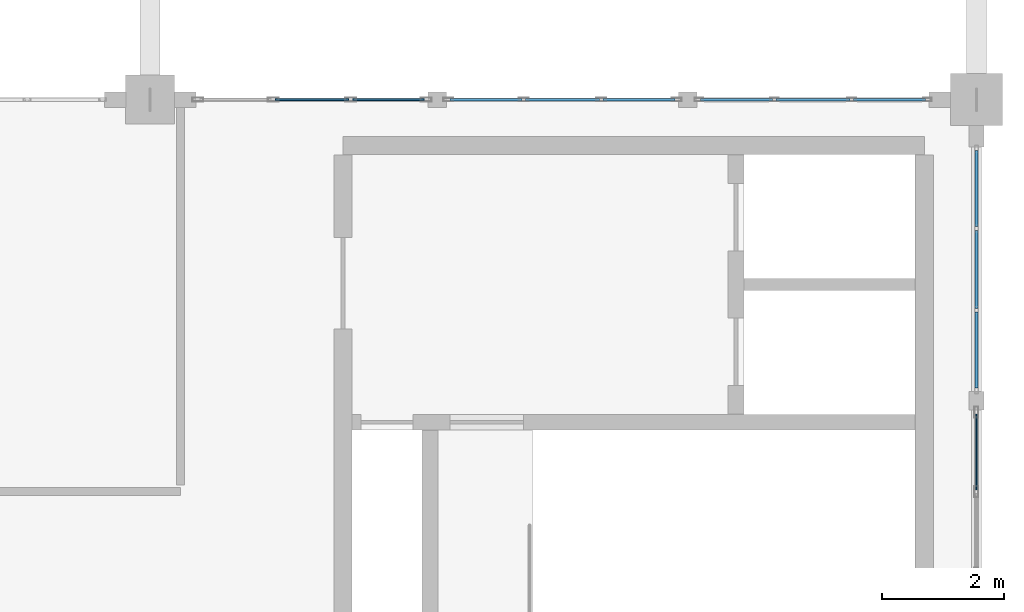
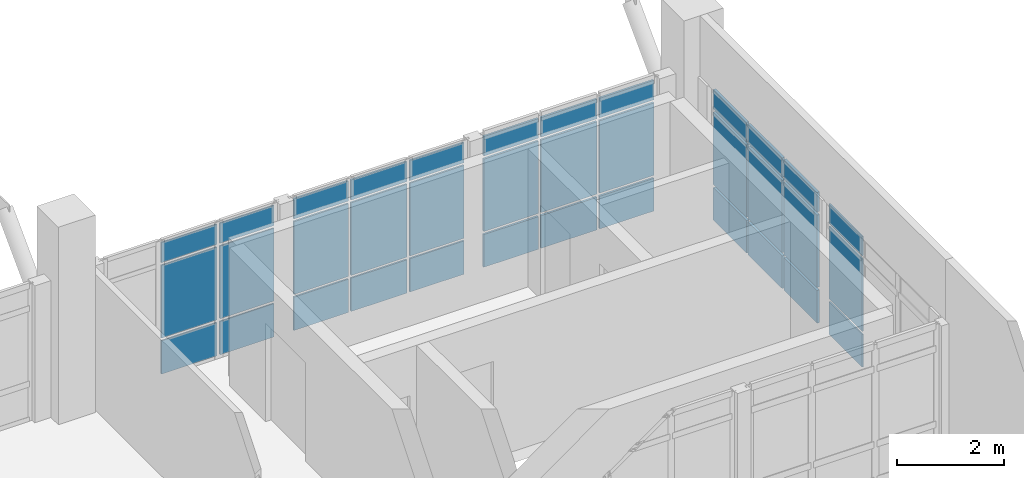
# One storey, part 30 of 37: 36 plates, 5 elements without a shape of their own.
"""IFC4 building model written with IfcOpenShell, lengths in metres."""

from ifc_helpers import new_model, si_unit, direction, frame, origin, origin_2d, place, context, subcontext, project, spatial, rectangle, extrude, material, layer, layer_set, type_object, element, aggregate, save


model = new_model("IFC4")

# Units and contexts
model_context = context("Model", 3, precision=1e-05, world=origin(), true_north=direction((0.0, 1.0)))
body_context = subcontext(model_context, "Body", "Model", "MODEL_VIEW")
ifc_project = project(units=[si_unit("LENGTHUNIT", "METRE"), si_unit("AREAUNIT", "SQUARE_METRE"), si_unit("VOLUMEUNIT", "CUBIC_METRE"), si_unit("PLANEANGLEUNIT", "RADIAN"), si_unit("MASSUNIT", "GRAM", prefix="KILO")], contexts=[model_context])

# Site, building, storey
site_placement = place(None, origin())
site = spatial("IfcSite", under=ifc_project, at=site_placement, CompositionType="ELEMENT")
building_placement = place(site_placement, origin())
building = spatial("IfcBuilding", under=site, at=building_placement, Name="Fikremerkos Civic Library", CompositionType="ELEMENT")
storey_placement = place(building_placement, frame((0.0, 0.0, 23.39990234375)))
storey = spatial("IfcBuildingStorey", under=building, at=storey_placement, Name="L05", CompositionType="ELEMENT", Elevation=23.39990234375)

# Curtain wall, plates
ifc_material_1 = material(Name="Anodized aluminium Frame", Category="aluminium")
ifc_layer_1 = layer(ifc_material_1, 0.159912109375, Name="Anodized aluminium Frame")
ifc_layer_set_1 = layer_set([ifc_layer_1], Name="Anodized aluminium Frame")
curtain_wall_type_1 = type_object("IfcCurtainWallType", Name="Unitised curtain wall CW-05 3800x4100", PredefinedType="USERDEFINED", material=ifc_layer_set_1)
curtain_wall_1_placement = place(storey_placement, origin())
curtain_wall_1 = element("IfcCurtainWall", 1, at=curtain_wall_1_placement, inside=storey, type_object=curtain_wall_type_1, Name="Unitised curtain wall CW-05 L05 #275", ObjectType="UNITISED CURTAIN WALL", PredefinedType="USERDEFINED")
ifc_material_2 = material(Name="Solar control double glazing", Category="glass")
ifc_layer_2 = layer(ifc_material_2, 0.028076171875, Name="Solar control double glazing")
ifc_layer_set_2 = layer_set([ifc_layer_2], Name="Solar control double glazing")
plate_type_1 = type_object("IfcPlateType", Name="Curtain glazing panel CWP-01 28", PredefinedType="CURTAIN_PANEL", material=ifc_layer_set_2)
plate_1_placement = place(storey_placement, frame((102.844482421875, 31.199951171875, 0.06005859375), z_axis=(0.0, 0.0, 1.0), x_axis=(1.0, 0.0, 0.0)))
plate_1 = element("IfcPlate", 2, at=plate_1_placement, type_object=plate_type_1, Name="CW-05 panel 2.1", PredefinedType="CURTAIN_PANEL", context=body_context, shape_type="SweptSolid", body=[
    extrude(rectangle(XDim=1.19921875, YDim=0.028076171875, at=origin_2d()), origin(), (0.0, 0.0, 1.0), 0.760009765625),
])
plate_2_placement = place(storey_placement, frame((102.844482421875, 31.199951171875, 0.88037109375), z_axis=(0.0, 0.0, 1.0), x_axis=(1.0, 0.0, 0.0)))
plate_2 = element("IfcPlate", 3, at=plate_2_placement, type_object=plate_type_1, Name="CW-05 panel 2.2", PredefinedType="CURTAIN_PANEL", context=body_context, shape_type="SweptSolid", body=[
    extrude(rectangle(XDim=1.19921875, YDim=0.028076171875, at=origin_2d()), origin(), (0.0, 0.0, 1.0), 1.659912109375),
])
plate_3_placement = place(storey_placement, frame((102.844482421875, 31.199951171875, 2.60009765625), z_axis=(0.0, 0.0, 1.0), x_axis=(1.0, 0.0, 0.0)))
plate_3 = element("IfcPlate", 4, at=plate_3_placement, type_object=plate_type_1, Name="CW-05 panel 2.3", PredefinedType="CURTAIN_PANEL", context=body_context, shape_type="SweptSolid", body=[
    extrude(rectangle(XDim=1.19921875, YDim=0.028076171875, at=origin_2d()), origin(), (0.0, 0.0, 1.0), 0.4599609375),
])
plate_4_placement = place(storey_placement, frame((104.092529296875, 31.199951171875, 0.06005859375), z_axis=(0.0, 0.0, 1.0), x_axis=(1.0, 0.0, 0.0)))
plate_4 = element("IfcPlate", 5, at=plate_4_placement, type_object=plate_type_1, Name="CW-05 panel 3.1", PredefinedType="CURTAIN_PANEL", context=body_context, shape_type="SweptSolid", body=[
    extrude(rectangle(XDim=1.166748046875, YDim=0.028076171875, at=origin_2d()), origin(), (0.0, 0.0, 1.0), 0.760009765625),
])
plate_5_placement = place(storey_placement, frame((104.092529296875, 31.199951171875, 0.88037109375), z_axis=(0.0, 0.0, 1.0), x_axis=(1.0, 0.0, 0.0)))
plate_5 = element("IfcPlate", 6, at=plate_5_placement, type_object=plate_type_1, Name="CW-05 panel 3.2", PredefinedType="CURTAIN_PANEL", context=body_context, shape_type="SweptSolid", body=[
    extrude(rectangle(XDim=1.166748046875, YDim=0.028076171875, at=origin_2d()), origin(), (0.0, 0.0, 1.0), 1.659912109375),
])
plate_6_placement = place(storey_placement, frame((104.092529296875, 31.199951171875, 2.60009765625), z_axis=(0.0, 0.0, 1.0), x_axis=(1.0, 0.0, 0.0)))
plate_6 = element("IfcPlate", 7, at=plate_6_placement, type_object=plate_type_1, Name="CW-05 panel 3.3", PredefinedType="CURTAIN_PANEL", context=body_context, shape_type="SweptSolid", body=[
    extrude(rectangle(XDim=1.166748046875, YDim=0.028076171875, at=origin_2d()), origin(), (0.0, 0.0, 1.0), 0.4599609375),
])
aggregate(curtain_wall_1, [plate_1, plate_2, plate_3, plate_4, plate_5, plate_6])

ifc_layer_3 = layer(ifc_material_1, 0.159912109375, Name="Anodized aluminium Frame")
ifc_layer_set_3 = layer_set([ifc_layer_3], Name="Anodized aluminium Frame")
curtain_wall_type_2 = type_object("IfcCurtainWallType", Name="Unitised curtain wall CW-09 3600x3400", PredefinedType="USERDEFINED", material=ifc_layer_set_3)
curtain_wall_2_placement = place(storey_placement, origin())
curtain_wall_2 = element("IfcCurtainWall", 8, at=curtain_wall_2_placement, inside=storey, type_object=curtain_wall_type_2, Name="Unitised curtain wall CW-09 L05 #279", ObjectType="UNITISED CURTAIN WALL", PredefinedType="USERDEFINED")
plate_7_placement = place(storey_placement, frame((113.699951171875, 25.44580078125, 0.070068359375), z_axis=(0.0, 0.0, 1.0), x_axis=(0.0, -1.0, 0.0)))
plate_7 = element("IfcPlate", 9, at=plate_7_placement, type_object=plate_type_1, Name="CW-09 panel 1.1", PredefinedType="CURTAIN_PANEL", context=body_context, shape_type="SweptSolid", body=[
    extrude(rectangle(XDim=1.2353515625, YDim=0.028076171875, at=origin_2d()), origin(), (0.0, 0.0, 1.0), 0.7451171875),
])
plate_8_placement = place(storey_placement, frame((113.699951171875, 25.44580078125, 0.88525390625), z_axis=(0.0, 0.0, 1.0), x_axis=(0.0, -1.0, 0.0)))
plate_8 = element("IfcPlate", 10, at=plate_8_placement, type_object=plate_type_1, Name="CW-09 panel 1.2", PredefinedType="CURTAIN_PANEL", context=body_context, shape_type="SweptSolid", body=[
    extrude(rectangle(XDim=1.2353515625, YDim=0.028076171875, at=origin_2d()), origin(), (0.0, 0.0, 1.0), 1.64990234375),
])
plate_9_placement = place(storey_placement, frame((113.699951171875, 25.44580078125, 2.60498046875), z_axis=(0.0, 0.0, 1.0), x_axis=(0.0, -1.0, 0.0)))
plate_9 = element("IfcPlate", 11, at=plate_9_placement, type_object=plate_type_1, Name="CW-09 panel 1.3", PredefinedType="CURTAIN_PANEL", context=body_context, shape_type="SweptSolid", body=[
    extrude(rectangle(XDim=1.2353515625, YDim=0.028076171875, at=origin_2d()), origin(), (0.0, 0.0, 1.0), 0.445068359375),
])
aggregate(curtain_wall_2, [plate_7, plate_8, plate_9])

ifc_layer_4 = layer(ifc_material_1, 0.159912109375, Name="Anodized aluminium Frame")
ifc_layer_set_4 = layer_set([ifc_layer_4], Name="Anodized aluminium Frame")
curtain_wall_type_3 = type_object("IfcCurtainWallType", Name="Unitised curtain wall CW-06 4200x4100", PredefinedType="USERDEFINED", material=ifc_layer_set_4)
curtain_wall_3_placement = place(storey_placement, origin())
curtain_wall_3 = element("IfcCurtainWall", 12, at=curtain_wall_3_placement, inside=storey, type_object=curtain_wall_type_3, Name="Unitised curtain wall CW-06 L05 #276", ObjectType="UNITISED CURTAIN WALL", PredefinedType="USERDEFINED")
ifc_layer_5 = layer(ifc_material_2, 0.035888671875, Name="Solar control double glazing")
ifc_layer_set_5 = layer_set([ifc_layer_5], Name="Solar control double glazing")
plate_type_2 = type_object("IfcPlateType", Name="Curtain glazing panel CWP-02 36", PredefinedType="CURTAIN_PANEL", material=ifc_layer_set_5)
plate_10_placement = place(storey_placement, frame((105.688232421875, 31.199951171875, 0.06005859375), z_axis=(0.0, 0.0, 1.0), x_axis=(1.0, 0.0, 0.0)))
plate_10 = element("IfcPlate", 13, at=plate_10_placement, type_object=plate_type_2, Name="CW-06 panel 1.1", PredefinedType="CURTAIN_PANEL", context=body_context, shape_type="SweptSolid", body=[
    extrude(rectangle(XDim=1.17431640625, YDim=0.035888671875, at=origin_2d()), origin(), (0.0, 0.0, 1.0), 0.760009765625),
])
plate_11_placement = place(storey_placement, frame((105.688232421875, 31.199951171875, 0.88037109375), z_axis=(0.0, 0.0, 1.0), x_axis=(1.0, 0.0, 0.0)))
plate_11 = element("IfcPlate", 14, at=plate_11_placement, type_object=plate_type_2, Name="CW-06 panel 1.2", PredefinedType="CURTAIN_PANEL", context=body_context, shape_type="SweptSolid", body=[
    extrude(rectangle(XDim=1.17431640625, YDim=0.035888671875, at=origin_2d()), origin(), (0.0, 0.0, 1.0), 1.659912109375),
])
plate_12_placement = place(storey_placement, frame((105.688232421875, 31.199951171875, 2.60009765625), z_axis=(0.0, 0.0, 1.0), x_axis=(1.0, 0.0, 0.0)))
plate_12 = element("IfcPlate", 15, at=plate_12_placement, type_object=plate_type_2, Name="CW-06 panel 1.3", PredefinedType="CURTAIN_PANEL", context=body_context, shape_type="SweptSolid", body=[
    extrude(rectangle(XDim=1.17431640625, YDim=0.035888671875, at=origin_2d()), origin(), (0.0, 0.0, 1.0), 0.4599609375),
])
plate_13_placement = place(storey_placement, frame((106.9375, 31.199951171875, 0.06005859375), z_axis=(0.0, 0.0, 1.0), x_axis=(1.0, 0.0, 0.0)))
plate_13 = element("IfcPlate", 16, at=plate_13_placement, type_object=plate_type_2, Name="CW-06 panel 2.1", PredefinedType="CURTAIN_PANEL", context=body_context, shape_type="SweptSolid", body=[
    extrude(rectangle(XDim=1.204345703125, YDim=0.035888671875, at=origin_2d()), origin(), (0.0, 0.0, 1.0), 0.760009765625),
])
plate_14_placement = place(storey_placement, frame((106.9375, 31.199951171875, 0.88037109375), z_axis=(0.0, 0.0, 1.0), x_axis=(1.0, 0.0, 0.0)))
plate_14 = element("IfcPlate", 17, at=plate_14_placement, type_object=plate_type_2, Name="CW-06 panel 2.2", PredefinedType="CURTAIN_PANEL", context=body_context, shape_type="SweptSolid", body=[
    extrude(rectangle(XDim=1.204345703125, YDim=0.035888671875, at=origin_2d()), origin(), (0.0, 0.0, 1.0), 1.659912109375),
])
plate_15_placement = place(storey_placement, frame((106.9375, 31.199951171875, 2.60009765625), z_axis=(0.0, 0.0, 1.0), x_axis=(1.0, 0.0, 0.0)))
plate_15 = element("IfcPlate", 18, at=plate_15_placement, type_object=plate_type_2, Name="CW-06 panel 2.3", PredefinedType="CURTAIN_PANEL", context=body_context, shape_type="SweptSolid", body=[
    extrude(rectangle(XDim=1.204345703125, YDim=0.035888671875, at=origin_2d()), origin(), (0.0, 0.0, 1.0), 0.4599609375),
])
plate_16_placement = place(storey_placement, frame((108.186767578125, 31.199951171875, 0.06005859375), z_axis=(0.0, 0.0, 1.0), x_axis=(1.0, 0.0, 0.0)))
plate_16 = element("IfcPlate", 19, at=plate_16_placement, type_object=plate_type_2, Name="CW-06 panel 3.1", PredefinedType="CURTAIN_PANEL", context=body_context, shape_type="SweptSolid", body=[
    extrude(rectangle(XDim=1.17431640625, YDim=0.035888671875, at=origin_2d()), origin(), (0.0, 0.0, 1.0), 0.760009765625),
])
plate_17_placement = place(storey_placement, frame((108.186767578125, 31.199951171875, 0.88037109375), z_axis=(0.0, 0.0, 1.0), x_axis=(1.0, 0.0, 0.0)))
plate_17 = element("IfcPlate", 20, at=plate_17_placement, type_object=plate_type_2, Name="CW-06 panel 3.2", PredefinedType="CURTAIN_PANEL", context=body_context, shape_type="SweptSolid", body=[
    extrude(rectangle(XDim=1.17431640625, YDim=0.035888671875, at=origin_2d()), origin(), (0.0, 0.0, 1.0), 1.659912109375),
])
plate_18_placement = place(storey_placement, frame((108.186767578125, 31.199951171875, 2.60009765625), z_axis=(0.0, 0.0, 1.0), x_axis=(1.0, 0.0, 0.0)))
plate_18 = element("IfcPlate", 21, at=plate_18_placement, type_object=plate_type_2, Name="CW-06 panel 3.3", PredefinedType="CURTAIN_PANEL", context=body_context, shape_type="SweptSolid", body=[
    extrude(rectangle(XDim=1.17431640625, YDim=0.035888671875, at=origin_2d()), origin(), (0.0, 0.0, 1.0), 0.4599609375),
])
aggregate(curtain_wall_3, [plate_10, plate_11, plate_12, plate_13, plate_14, plate_15, plate_16, plate_17, plate_18])

ifc_layer_6 = layer(ifc_material_1, 0.159912109375, Name="Anodized aluminium Frame")
ifc_layer_set_6 = layer_set([ifc_layer_6], Name="Anodized aluminium Frame")
curtain_wall_type_4 = type_object("IfcCurtainWallType", Name="Unitised curtain wall CW-07 3500x4100", PredefinedType="USERDEFINED", material=ifc_layer_set_6)
curtain_wall_4_placement = place(storey_placement, origin())
curtain_wall_4 = element("IfcCurtainWall", 22, at=curtain_wall_4_placement, inside=storey, type_object=curtain_wall_type_4, Name="Unitised curtain wall CW-07 L05 #277", ObjectType="UNITISED CURTAIN WALL", PredefinedType="USERDEFINED")
ifc_material_3 = material(Name="Insulated aluminium spandrel", Category="aluminium")
ifc_layer_7 = layer(ifc_material_3, 0.044921875, Name="Insulated aluminium spandrel")
ifc_layer_set_7 = layer_set([ifc_layer_7], Name="Insulated aluminium spandrel")
plate_type_3 = type_object("IfcPlateType", Name="Curtain spandrel panel CSP-01 45", PredefinedType="CURTAIN_PANEL", material=ifc_layer_set_7)
plate_19_placement = place(storey_placement, frame((109.78125, 31.199951171875, 0.070068359375), z_axis=(0.0, 0.0, 1.0), x_axis=(1.0, 0.0, 0.0)))
plate_19 = element("IfcPlate", 23, at=plate_19_placement, type_object=plate_type_3, Name="CW-07 panel 1.1", PredefinedType="CURTAIN_PANEL", context=body_context, shape_type="SweptSolid", body=[
    extrude(rectangle(XDim=1.17431640625, YDim=0.044921875, at=origin_2d()), origin(), (0.0, 0.0, 1.0), 0.7451171875),
])
plate_20_placement = place(storey_placement, frame((109.78125, 31.199951171875, 0.88525390625), z_axis=(0.0, 0.0, 1.0), x_axis=(1.0, 0.0, 0.0)))
plate_20 = element("IfcPlate", 24, at=plate_20_placement, type_object=plate_type_3, Name="CW-07 panel 1.2", PredefinedType="CURTAIN_PANEL", context=body_context, shape_type="SweptSolid", body=[
    extrude(rectangle(XDim=1.17431640625, YDim=0.044921875, at=origin_2d()), origin(), (0.0, 0.0, 1.0), 1.64990234375),
])
plate_21_placement = place(storey_placement, frame((109.78125, 31.199951171875, 2.60498046875), z_axis=(0.0, 0.0, 1.0), x_axis=(1.0, 0.0, 0.0)))
plate_21 = element("IfcPlate", 25, at=plate_21_placement, type_object=plate_type_3, Name="CW-07 panel 1.3", PredefinedType="CURTAIN_PANEL", context=body_context, shape_type="SweptSolid", body=[
    extrude(rectangle(XDim=1.17431640625, YDim=0.044921875, at=origin_2d()), origin(), (0.0, 0.0, 1.0), 0.445068359375),
])
plate_22_placement = place(storey_placement, frame((111.030517578125, 31.199951171875, 0.070068359375), z_axis=(0.0, 0.0, 1.0), x_axis=(1.0, 0.0, 0.0)))
plate_22 = element("IfcPlate", 26, at=plate_22_placement, type_object=plate_type_3, Name="CW-07 panel 2.1", PredefinedType="CURTAIN_PANEL", context=body_context, shape_type="SweptSolid", body=[
    extrude(rectangle(XDim=1.204345703125, YDim=0.044921875, at=origin_2d()), origin(), (0.0, 0.0, 1.0), 0.7451171875),
])
plate_23_placement = place(storey_placement, frame((111.030517578125, 31.199951171875, 0.88525390625), z_axis=(0.0, 0.0, 1.0), x_axis=(1.0, 0.0, 0.0)))
plate_23 = element("IfcPlate", 27, at=plate_23_placement, type_object=plate_type_3, Name="CW-07 panel 2.2", PredefinedType="CURTAIN_PANEL", context=body_context, shape_type="SweptSolid", body=[
    extrude(rectangle(XDim=1.204345703125, YDim=0.044921875, at=origin_2d()), origin(), (0.0, 0.0, 1.0), 1.64990234375),
])
plate_24_placement = place(storey_placement, frame((111.030517578125, 31.199951171875, 2.60498046875), z_axis=(0.0, 0.0, 1.0), x_axis=(1.0, 0.0, 0.0)))
plate_24 = element("IfcPlate", 28, at=plate_24_placement, type_object=plate_type_3, Name="CW-07 panel 2.3", PredefinedType="CURTAIN_PANEL", context=body_context, shape_type="SweptSolid", body=[
    extrude(rectangle(XDim=1.204345703125, YDim=0.044921875, at=origin_2d()), origin(), (0.0, 0.0, 1.0), 0.445068359375),
])
plate_25_placement = place(storey_placement, frame((112.27978515625, 31.199951171875, 0.070068359375), z_axis=(0.0, 0.0, 1.0), x_axis=(1.0, 0.0, 0.0)))
plate_25 = element("IfcPlate", 29, at=plate_25_placement, type_object=plate_type_3, Name="CW-07 panel 3.1", PredefinedType="CURTAIN_PANEL", context=body_context, shape_type="SweptSolid", body=[
    extrude(rectangle(XDim=1.17431640625, YDim=0.044921875, at=origin_2d()), origin(), (0.0, 0.0, 1.0), 0.7451171875),
])
plate_26_placement = place(storey_placement, frame((112.27978515625, 31.199951171875, 0.88525390625), z_axis=(0.0, 0.0, 1.0), x_axis=(1.0, 0.0, 0.0)))
plate_26 = element("IfcPlate", 30, at=plate_26_placement, type_object=plate_type_3, Name="CW-07 panel 3.2", PredefinedType="CURTAIN_PANEL", context=body_context, shape_type="SweptSolid", body=[
    extrude(rectangle(XDim=1.17431640625, YDim=0.044921875, at=origin_2d()), origin(), (0.0, 0.0, 1.0), 1.64990234375),
])
plate_27_placement = place(storey_placement, frame((112.27978515625, 31.199951171875, 2.60498046875), z_axis=(0.0, 0.0, 1.0), x_axis=(1.0, 0.0, 0.0)))
plate_27 = element("IfcPlate", 31, at=plate_27_placement, type_object=plate_type_3, Name="CW-07 panel 3.3", PredefinedType="CURTAIN_PANEL", context=body_context, shape_type="SweptSolid", body=[
    extrude(rectangle(XDim=1.17431640625, YDim=0.044921875, at=origin_2d()), origin(), (0.0, 0.0, 1.0), 0.445068359375),
])
aggregate(curtain_wall_4, [plate_19, plate_20, plate_21, plate_22, plate_23, plate_24, plate_25, plate_26, plate_27])

ifc_layer_8 = layer(ifc_material_1, 0.159912109375, Name="Anodized aluminium Frame")
ifc_layer_set_8 = layer_set([ifc_layer_8], Name="Anodized aluminium Frame")
curtain_wall_type_5 = type_object("IfcCurtainWallType", Name="Unitised curtain wall CW-08 4500x4100", PredefinedType="USERDEFINED", material=ifc_layer_set_8)
curtain_wall_5_placement = place(storey_placement, origin())
curtain_wall_5 = element("IfcCurtainWall", 32, at=curtain_wall_5_placement, inside=storey, type_object=curtain_wall_type_5, Name="Unitised curtain wall CW-08 L05 #278", ObjectType="UNITISED CURTAIN WALL", PredefinedType="USERDEFINED")
ifc_layer_9 = layer(ifc_material_3, 0.054931640625, Name="Insulated aluminium spandrel")
ifc_layer_set_9 = layer_set([ifc_layer_9], Name="Insulated aluminium spandrel")
plate_type_4 = type_object("IfcPlateType", Name="Curtain spandrel panel CSP-02 55", PredefinedType="CURTAIN_PANEL", material=ifc_layer_set_9)
plate_28_placement = place(storey_placement, frame((113.699951171875, 29.74560546875, 0.070068359375), z_axis=(0.0, 0.0, 1.0), x_axis=(0.0, -1.0, 0.0)))
plate_28 = element("IfcPlate", 33, at=plate_28_placement, type_object=plate_type_4, Name="CW-08 panel 1.1", PredefinedType="CURTAIN_PANEL", context=body_context, shape_type="SweptSolid", body=[
    extrude(rectangle(XDim=1.242919921875, YDim=0.054931640625, at=origin_2d()), origin(), (0.0, 0.0, 1.0), 0.7451171875),
])
plate_29_placement = place(storey_placement, frame((113.699951171875, 29.74560546875, 0.88525390625), z_axis=(0.0, 0.0, 1.0), x_axis=(0.0, -1.0, 0.0)))
plate_29 = element("IfcPlate", 34, at=plate_29_placement, type_object=plate_type_4, Name="CW-08 panel 1.2", PredefinedType="CURTAIN_PANEL", context=body_context, shape_type="SweptSolid", body=[
    extrude(rectangle(XDim=1.242919921875, YDim=0.054931640625, at=origin_2d()), origin(), (0.0, 0.0, 1.0), 1.64990234375),
])
plate_30_placement = place(storey_placement, frame((113.699951171875, 29.74560546875, 2.60498046875), z_axis=(0.0, 0.0, 1.0), x_axis=(0.0, -1.0, 0.0)))
plate_30 = element("IfcPlate", 35, at=plate_30_placement, type_object=plate_type_4, Name="CW-08 panel 1.3", PredefinedType="CURTAIN_PANEL", context=body_context, shape_type="SweptSolid", body=[
    extrude(rectangle(XDim=1.242919921875, YDim=0.054931640625, at=origin_2d()), origin(), (0.0, 0.0, 1.0), 0.445068359375),
])
plate_31_placement = place(storey_placement, frame((113.699951171875, 28.427734375, 0.070068359375), z_axis=(0.0, 0.0, 1.0), x_axis=(0.0, -1.0, 0.0)))
plate_31 = element("IfcPlate", 36, at=plate_31_placement, type_object=plate_type_4, Name="CW-08 panel 2.1", PredefinedType="CURTAIN_PANEL", context=body_context, shape_type="SweptSolid", body=[
    extrude(rectangle(XDim=1.27294921875, YDim=0.054931640625, at=origin_2d()), origin(), (0.0, 0.0, 1.0), 0.7451171875),
])
plate_32_placement = place(storey_placement, frame((113.699951171875, 28.427734375, 0.88525390625), z_axis=(0.0, 0.0, 1.0), x_axis=(0.0, -1.0, 0.0)))
plate_32 = element("IfcPlate", 37, at=plate_32_placement, type_object=plate_type_4, Name="CW-08 panel 2.2", PredefinedType="CURTAIN_PANEL", context=body_context, shape_type="SweptSolid", body=[
    extrude(rectangle(XDim=1.27294921875, YDim=0.054931640625, at=origin_2d()), origin(), (0.0, 0.0, 1.0), 1.64990234375),
])
plate_33_placement = place(storey_placement, frame((113.699951171875, 28.427734375, 2.60498046875), z_axis=(0.0, 0.0, 1.0), x_axis=(0.0, -1.0, 0.0)))
plate_33 = element("IfcPlate", 38, at=plate_33_placement, type_object=plate_type_4, Name="CW-08 panel 2.3", PredefinedType="CURTAIN_PANEL", context=body_context, shape_type="SweptSolid", body=[
    extrude(rectangle(XDim=1.27294921875, YDim=0.054931640625, at=origin_2d()), origin(), (0.0, 0.0, 1.0), 0.445068359375),
])
plate_34_placement = place(storey_placement, frame((113.699951171875, 27.10986328125, 0.070068359375), z_axis=(0.0, 0.0, 1.0), x_axis=(0.0, -1.0, 0.0)))
plate_34 = element("IfcPlate", 39, at=plate_34_placement, type_object=plate_type_4, Name="CW-08 panel 3.1", PredefinedType="CURTAIN_PANEL", context=body_context, shape_type="SweptSolid", body=[
    extrude(rectangle(XDim=1.242919921875, YDim=0.054931640625, at=origin_2d()), origin(), (0.0, 0.0, 1.0), 0.7451171875),
])
plate_35_placement = place(storey_placement, frame((113.699951171875, 27.10986328125, 0.88525390625), z_axis=(0.0, 0.0, 1.0), x_axis=(0.0, -1.0, 0.0)))
plate_35 = element("IfcPlate", 40, at=plate_35_placement, type_object=plate_type_4, Name="CW-08 panel 3.2", PredefinedType="CURTAIN_PANEL", context=body_context, shape_type="SweptSolid", body=[
    extrude(rectangle(XDim=1.242919921875, YDim=0.054931640625, at=origin_2d()), origin(), (0.0, 0.0, 1.0), 1.64990234375),
])
plate_36_placement = place(storey_placement, frame((113.699951171875, 27.10986328125, 2.60498046875), z_axis=(0.0, 0.0, 1.0), x_axis=(0.0, -1.0, 0.0)))
plate_36 = element("IfcPlate", 41, at=plate_36_placement, type_object=plate_type_4, Name="CW-08 panel 3.3", PredefinedType="CURTAIN_PANEL", context=body_context, shape_type="SweptSolid", body=[
    extrude(rectangle(XDim=1.242919921875, YDim=0.054931640625, at=origin_2d()), origin(), (0.0, 0.0, 1.0), 0.445068359375),
])
aggregate(curtain_wall_5, [plate_28, plate_29, plate_30, plate_31, plate_32, plate_33, plate_34, plate_35, plate_36])

save(model, "model.ifc")
